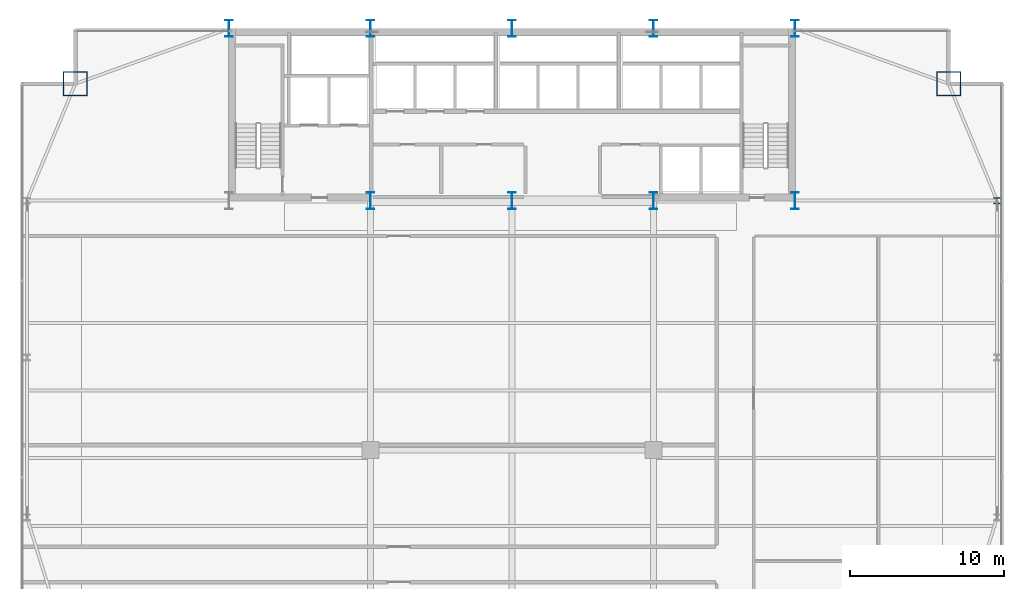
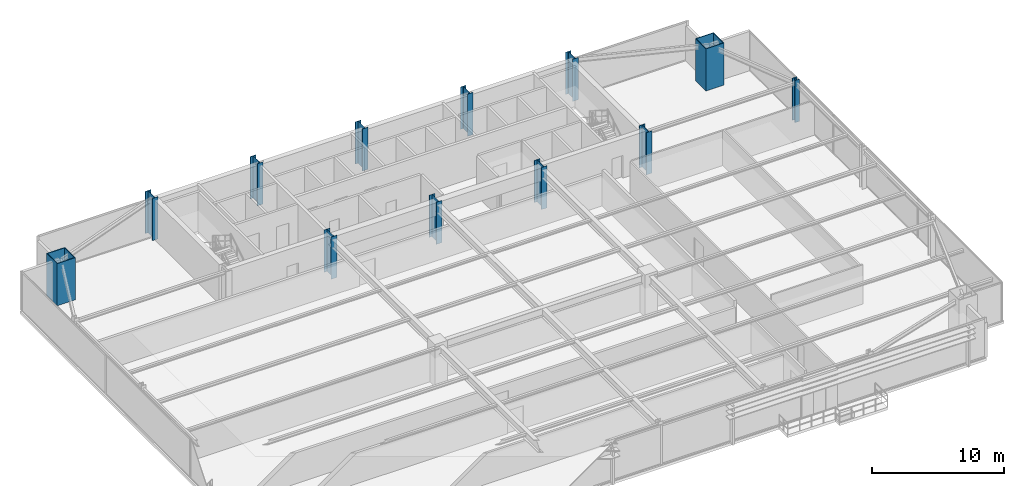
# One storey, part 2 of 31: 12 columns.
"""IFC4 building model written with IfcOpenShell, lengths in metres."""

from ifc_helpers import new_model, si_unit, direction, frame, origin, origin_2d, place, context, subcontext, project, spatial, hollow_rectangle, i_section, extrude, source, transform, mapped, material, material_profile, profile_set, type_object, type_shapes, element, save


model = new_model("IFC4")

# Units and contexts
model_context = context("Model", 3, precision=1e-05, world=origin(), true_north=direction((0.0, 1.0)))
body_context = subcontext(model_context, "Body", "Model", "MODEL_VIEW")
ifc_project = project(units=[si_unit("LENGTHUNIT", "METRE"), si_unit("AREAUNIT", "SQUARE_METRE"), si_unit("VOLUMEUNIT", "CUBIC_METRE"), si_unit("PLANEANGLEUNIT", "RADIAN"), si_unit("MASSUNIT", "GRAM", prefix="KILO")], contexts=[model_context])

# Site, building, storey
site_placement = place(None, origin())
site = spatial("IfcSite", under=ifc_project, at=site_placement, CompositionType="ELEMENT")
building_placement = place(site_placement, origin())
building = spatial("IfcBuilding", under=site, at=building_placement, Name="Varnel Quay Broadcast Tower", CompositionType="ELEMENT")
storey_placement = place(building_placement, frame((0.0, 0.0, 39.300048828125)))
storey = spatial("IfcBuildingStorey", under=building, at=storey_placement, Name="L08", CompositionType="ELEMENT", Elevation=39.300048828125)

# Columns
ifc_material_1 = material(Name="Structural Steel CSA G40.21 350WT", Category="steel")
ifc_material_profile_1 = material_profile(ifc_material_1, i_section(OverallWidth=0.5, OverallDepth=1.10009765625, WebThickness=0.01806640625, FlangeThickness=0.031982421875, FilletRadius=0.01806640625, at=origin_2d()), Name="WWF1100X418")
ifc_profile_set_1 = profile_set([ifc_material_profile_1], Name="Structural Steel CSA G40.21 350WT")
column_type_1 = type_object("IfcColumnType", Name="Col_WWF1100X418", PredefinedType="COLUMN", material=ifc_profile_set_1)
shared_shape_1 = source(origin(), body_context, "Body", "SweptSolid", [
    extrude(i_section(OverallWidth=0.5, OverallDepth=1.10009765625, WebThickness=0.01806640625, FlangeThickness=0.031982421875, FilletRadius=0.01806640625, at=origin_2d()), origin(), (0.0, 0.0, 1.0), 3.89990234375),
])
type_shapes(column_type_1, [shared_shape_1])
for number, where, z_axis, x_axis, name in (
    (1, (15.60009765625, 46.800048828125, 0.0), (0.0, 0.0, 1.0), (1.0, 0.0, 0.0), "L08 Column CC-N1"),
    (2, (24.800048828125, 35.60009765625, 0.0), (0.0, 0.0, 1.0), (1.0, 0.0, 0.0), "L08 Column CC-S2"),
    (3, (24.800048828125, 46.800048828125, 0.0), (0.0, 0.0, 1.0), (1.0, 0.0, 0.0), "L08 Column CC-N2"),
    (4, (34.0, 35.60009765625, 0.0), (0.0, 0.0, 1.0), (1.0, 0.0, 0.0), "L08 Column CC-S3"),
    (5, (34.0, 46.800048828125, 0.0), (0.0, 0.0, 1.0), (1.0, 0.0, 0.0), "L08 Column CC-N3"),
    (6, (43.199951171875, 35.60009765625, 0.0), (0.0, 0.0, 1.0), (1.0, 0.0, 0.0), "L08 Column CC-S4"),
    (7, (43.199951171875, 46.800048828125, 0.0), (0.0, 0.0, 1.0), (1.0, 0.0, 0.0), "L08 Column CC-N4"),
    (8, (52.39990234375, 35.60009765625, 0.0), (0.0, 0.0, 1.0), (1.0, 0.0, 0.0), "L08 Column CC-S5"),
    (9, (52.39990234375, 46.800048828125, 0.0), (0.0, 0.0, 1.0), (1.0, 0.0, 0.0), "L08 Column CC-N5"),
):
    element("IfcColumn", number, at=place(storey_placement, frame(where, z_axis=z_axis, x_axis=x_axis)), inside=storey, type_object=column_type_1, Name=name, PredefinedType="COLUMN", context=body_context, shape_type="MappedRepresentation", body=[
        mapped(shared_shape_1, transform((0.0, 0.0, 0.0), x_axis=(1.0, 0.0, 0.0), y_axis=(0.0, 1.0, 0.0), z_axis=(0.0, 0.0, 1.0), scale=1.0)),
    ])
ifc_material_profile_2 = material_profile(ifc_material_1, hollow_rectangle(XDim=1.60009765625, YDim=1.60009765625, WallThickness=0.06005859375, at=origin_2d()), Name="BOX1600X1600X60")
ifc_profile_set_2 = profile_set([ifc_material_profile_2], Name="Structural Steel CSA G40.21 350WT")
column_type_2 = type_object("IfcColumnType", Name="Col_BOX1600X1600X60", PredefinedType="COLUMN", material=ifc_profile_set_2)
shared_shape_2 = source(origin(), body_context, "Body", "SweptSolid", [
    extrude(hollow_rectangle(XDim=1.60009765625, YDim=1.60009765625, WallThickness=0.06005859375, at=origin_2d()), origin(), (0.0, 0.0, 1.0), 3.89990234375),
])
type_shapes(column_type_2, [shared_shape_2])
for number, where, z_axis, x_axis, name in (
    (10, (62.39990234375, 43.199951171875, 0.0), (0.0, 0.0, 1.0), (1.0, 0.0, 0.0), "L08 Column MC-NE"),
    (11, (5.60009765625, 43.199951171875, 0.0), (0.0, 0.0, 1.0), (1.0, 0.0, 0.0), "L08 Column MC-NW"),
):
    element("IfcColumn", number, at=place(storey_placement, frame(where, z_axis=z_axis, x_axis=x_axis)), inside=storey, type_object=column_type_2, Name=name, PredefinedType="COLUMN", context=body_context, shape_type="MappedRepresentation", body=[
        mapped(shared_shape_2, transform((0.0, 0.0, 0.0), x_axis=(1.0, 0.0, 0.0), y_axis=(0.0, 1.0, 0.0), z_axis=(0.0, 0.0, 1.0), scale=1.0)),
    ])
ifc_material_2 = material(Name="Structural Steel CSA G40.21 350W", Category="steel")
ifc_material_profile_3 = material_profile(ifc_material_2, i_section(OverallWidth=0.404052734375, OverallDepth=0.406982421875, WebThickness=0.027099609375, FlangeThickness=0.043701171875, FilletRadius=0.01806640625, at=origin_2d()), Name="W360X347")
ifc_profile_set_3 = profile_set([ifc_material_profile_3], Name="Structural Steel CSA G40.21 350W")
column_type_3 = type_object("IfcColumnType", Name="Col_W360X347", PredefinedType="COLUMN", material=ifc_profile_set_3)
shared_shape_3 = source(origin(), body_context, "Body", "SweptSolid", [
    extrude(i_section(OverallWidth=0.404052734375, OverallDepth=0.406982421875, WebThickness=0.027099609375, FlangeThickness=0.043701171875, FilletRadius=0.01806640625, at=origin_2d()), origin(), (0.0, 0.0, 1.0), 3.89990234375),
])
type_shapes(column_type_3, [shared_shape_3])
column_placement = place(storey_placement, frame((65.550048828125, 35.60009765625, 0.0), z_axis=(0.0, 0.0, 1.0), x_axis=(1.0, 0.0, 0.0)))
element("IfcColumn", 12, at=column_placement, inside=storey, type_object=column_type_3, Name="L08 Column TC-E3", PredefinedType="COLUMN", context=body_context, shape_type="MappedRepresentation", body=[
    mapped(shared_shape_3, transform((0.0, 0.0, 0.0), x_axis=(1.0, 0.0, 0.0), y_axis=(0.0, 1.0, 0.0), z_axis=(0.0, 0.0, 1.0), scale=1.0)),
])

save(model, "model.ifc")
